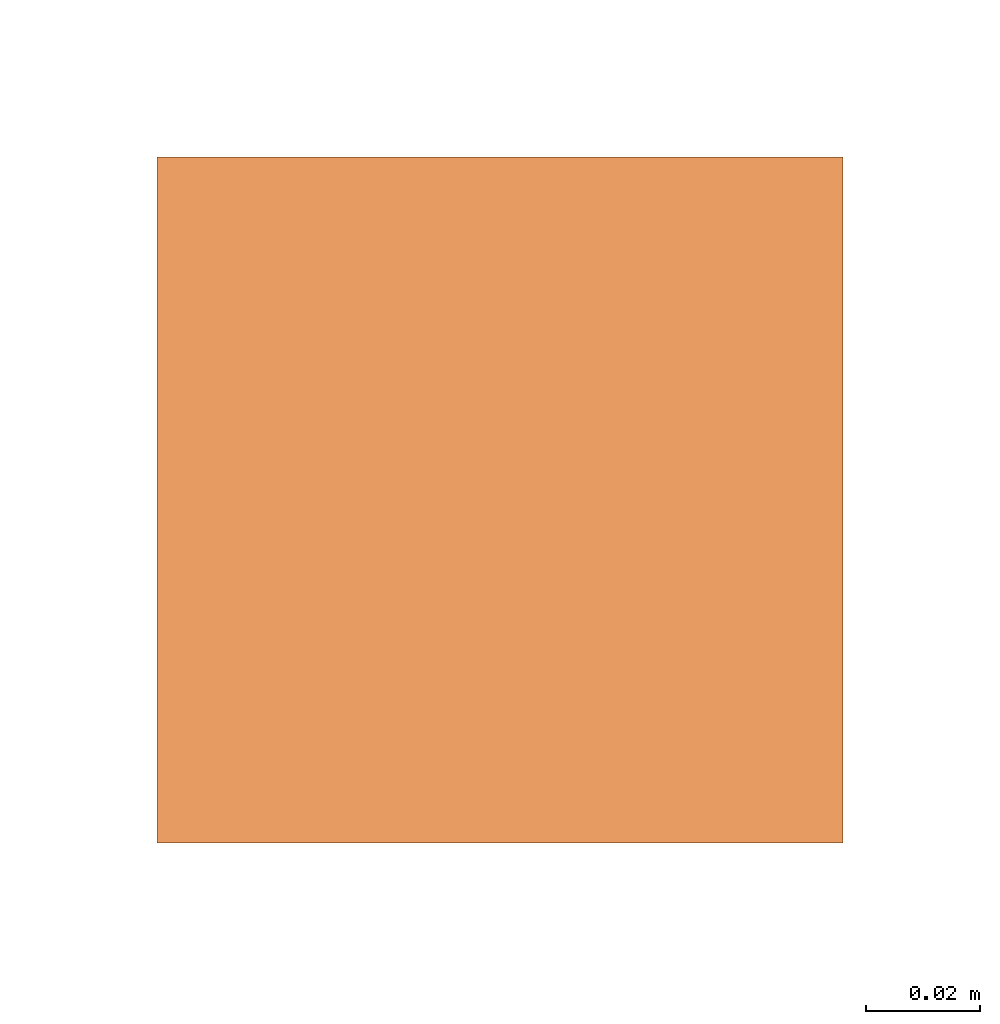
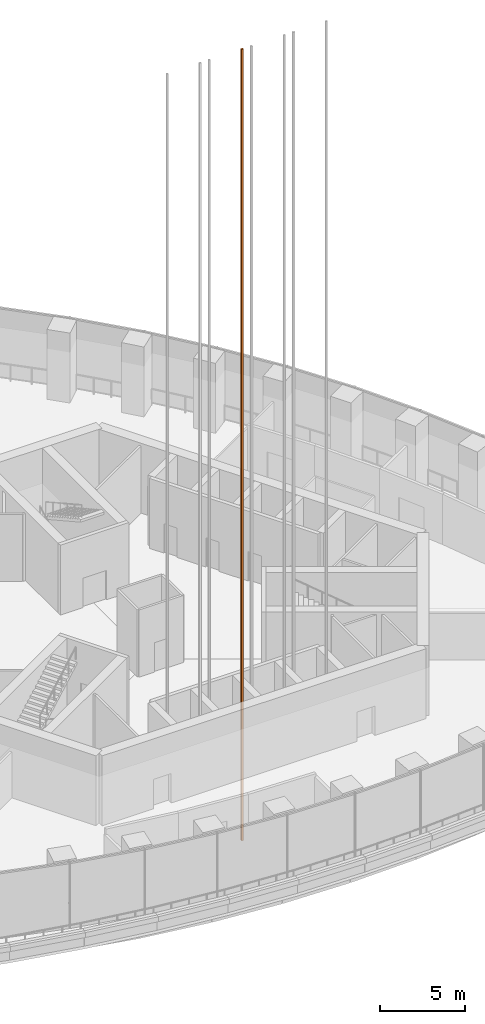
# One storey, part 22 of 26: 1 proxy.
"""IFC4 building model written with IfcOpenShell, lengths in metres."""

from ifc_helpers import new_model, si_unit, direction, frame, origin, origin_2d, place, context, subcontext, project, spatial, rectangle, extrude, element, save


model = new_model("IFC4")

# Units and contexts
model_context = context("Model", 3, precision=1e-05, world=origin(), true_north=direction((0.0, 1.0)))
body_context = subcontext(model_context, "Body", "Model", "MODEL_VIEW")
ifc_project = project(units=[si_unit("LENGTHUNIT", "METRE"), si_unit("AREAUNIT", "SQUARE_METRE"), si_unit("VOLUMEUNIT", "CUBIC_METRE"), si_unit("PLANEANGLEUNIT", "RADIAN"), si_unit("MASSUNIT", "GRAM", prefix="KILO")], contexts=[model_context])

# Site, building, storey
site_placement = place(None, origin())
site = spatial("IfcSite", under=ifc_project, at=site_placement, CompositionType="ELEMENT")
building_placement = place(site_placement, origin())
building = spatial("IfcBuilding", under=site, at=building_placement, Name="Trefoil Bronze Tower", CompositionType="ELEMENT")
storey_placement = place(building_placement, frame((0.0, 0.0, 271.300048828125)))
storey = spatial("IfcBuildingStorey", under=building, at=storey_placement, Name="L62", CompositionType="ELEMENT", Elevation=271.300048828125)

# Proxy
proxy_placement = place(storey_placement, frame((-0.31494140625, -11.3125, -6.0), z_axis=(0.0, 0.0, 1.0), x_axis=(1.0, 0.0, 0.0)))
element("IfcBuildingElementProxy", 1, at=proxy_placement, inside=storey, Name="Lift P42 guide rail 2", ObjectType="LIFT GUIDE RAIL", PredefinedType="USERDEFINED", context=body_context, shape_type="SweptSolid", body=[
    extrude(rectangle(XDim=0.1201171875, YDim=0.1201171875, at=origin_2d()), origin(), (0.0, 0.0, 1.0), 56.64990234375),
])

save(model, "model.ifc")
